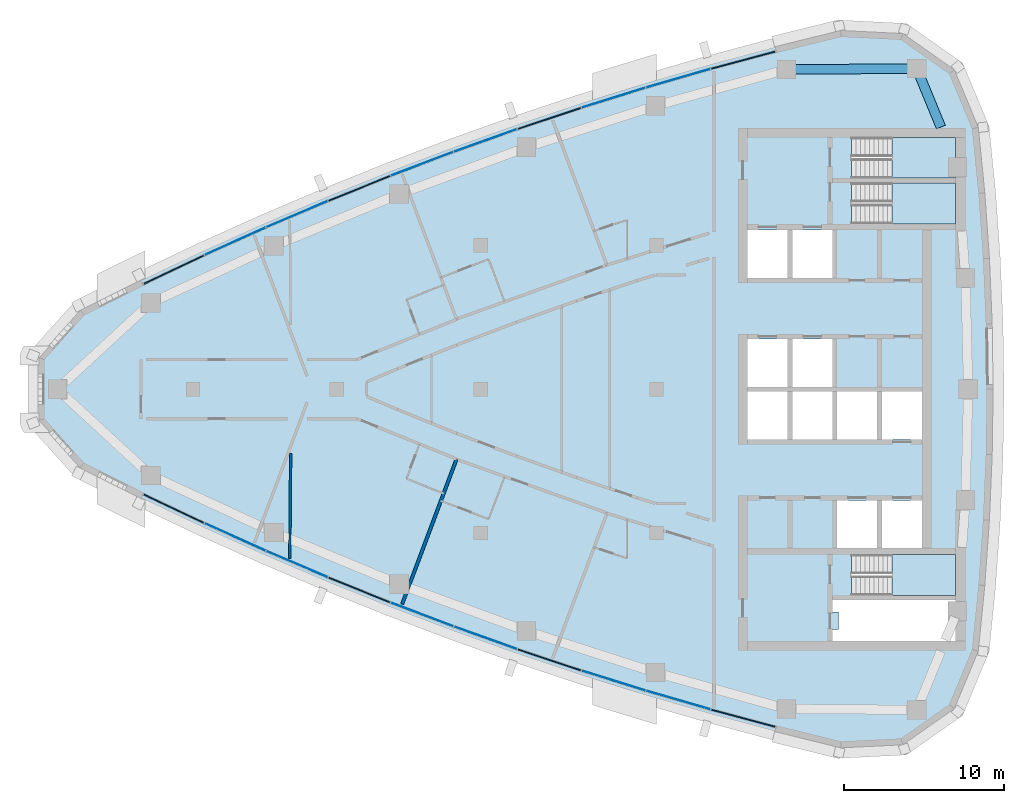
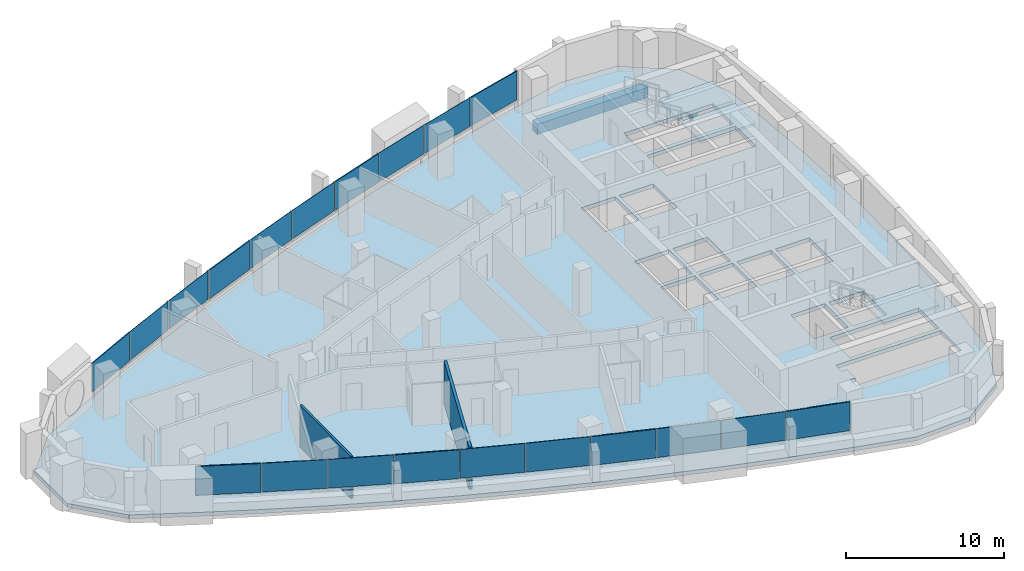
# One storey, part 7 of 15: 20 plates, 4 slabs, 2 beams, 2 walls, 1 opening, 13 elements without a shape of their own.
"""IFC4 building model written with IfcOpenShell, lengths in metres."""

from ifc_helpers import new_model, si_unit, direction, frame, frame_2d, origin, origin_2d, place, context, subcontext, project, spatial, polyline, rectangle, outline, extrude, material, layer, layer_set, material_profile, profile_set, type_object, element, aggregate, save


model = new_model("IFC4")

# Units and contexts
model_context = context("Model", 3, precision=1e-05, world=origin(), true_north=direction((0.0, 1.0)))
body_context = subcontext(model_context, "Body", "Model", "MODEL_VIEW")
ifc_project = project(units=[si_unit("LENGTHUNIT", "METRE"), si_unit("AREAUNIT", "SQUARE_METRE"), si_unit("VOLUMEUNIT", "CUBIC_METRE"), si_unit("PLANEANGLEUNIT", "RADIAN"), si_unit("MASSUNIT", "GRAM", prefix="KILO")], contexts=[model_context])

# Site, building, storey
site_placement = place(None, origin())
site = spatial("IfcSite", under=ifc_project, at=site_placement, CompositionType="ELEMENT")
building_placement = place(site_placement, origin())
building = spatial("IfcBuilding", under=site, at=building_placement, Name="Ostrand Prow Hotel Tower", CompositionType="ELEMENT")
storey_placement = place(building_placement, frame((0.0, 0.0, 231.449951171875)))
storey = spatial("IfcBuildingStorey", under=building, at=storey_placement, Name="L58", CompositionType="ELEMENT", Elevation=231.449951171875)

# Beams
ifc_material_1 = material(Name="Concrete C50/60", Category="concrete")
ifc_material_profile = material_profile(ifc_material_1, rectangle(XDim=0.60009765625, YDim=0.800048828125, at=origin_2d()), Name="RC 600x800")
ifc_profile_set = profile_set([ifc_material_profile], Name="Concrete C50/60")
beam_type = type_object("IfcBeamType", Name="Edge beam 600x800 C50/60", PredefinedType="SPANDREL", material=ifc_profile_set)
beam_1_placement = place(storey_placement, frame((62.7919921875, 16.39990234375, -0.699951171875), z_axis=(-0.380777709221, 0.924666608114, 0.0), x_axis=(-0.924666608114, -0.380777709221, 0.0)))
element("IfcBeam", 1, at=beam_1_placement, inside=storey, type_object=beam_type, Name="Edge beam B5-NE", PredefinedType="SPANDREL", context=body_context, shape_type="SweptSolid", body=[
    extrude(rectangle(XDim=0.60009765625, YDim=0.800048828125, at=origin_2d()), origin(), (0.0, 0.0, 1.0), 3.96044921875),
])
beam_2_placement = place(storey_placement, frame((61.283935546875, 20.06201171875, -0.699951171875), z_axis=(-0.999970657582, -0.007660546678, 0.0), x_axis=(0.007660546678, -0.999970657582, 0.0)))
element("IfcBeam", 2, at=beam_2_placement, inside=storey, type_object=beam_type, Name="Edge beam NE-N1", PredefinedType="SPANDREL", context=body_context, shape_type="SweptSolid", body=[
    extrude(rectangle(XDim=0.60009765625, YDim=0.800048828125, at=origin_2d()), origin(), (0.0, 0.0, 1.0), 8.15869140625),
])

# Curtain wall, plate
ifc_material_2 = material(Name="Insulated glass in bronze anodised frame", Category="glass")
ifc_layer_1 = layer(ifc_material_2, 0.199951171875)
ifc_layer_set_1 = layer_set([ifc_layer_1], Name="Insulated glass in bronze anodised frame")
curtain_wall_type = type_object("IfcCurtainWallType", Name="Strip curtain wall, fritted glass over bronze spandrel", PredefinedType="NOTDEFINED", material=ifc_layer_set_1)
curtain_wall_1_placement = place(storey_placement, origin())
curtain_wall_1 = element("IfcCurtainWall", 3, at=curtain_wall_1_placement, inside=storey, type_object=curtain_wall_type, Name="CW1 run CWS1", PredefinedType="NOTDEFINED")
ifc_material_3 = material(Name="Ceramic-fritted glass", Category="glass")
ifc_layer_2 = layer(ifc_material_3, 0.031982421875)
ifc_layer_set_2 = layer_set([ifc_layer_2], Name="Ceramic-fritted glass")
plate_type_1 = type_object("IfcPlateType", Name="Dot-fritted ceramic glass unit 32 mm", PredefinedType="CURTAIN_PANEL", material=ifc_layer_set_2)
plate_1_placement = place(storey_placement, frame((18.634521484375, -9.249267578125, 1.02001953125), z_axis=(0.0, 0.0, 1.0), x_axis=(0.911823681514, -0.41058199404, 0.0)))
plate_1 = element("IfcPlate", 4, at=plate_1_placement, type_object=plate_type_1, Name="CW1 PN-D panel 2.2", PredefinedType="CURTAIN_PANEL", context=body_context, shape_type="SweptSolid", body=[
    extrude(rectangle(XDim=4.163818359375, YDim=0.031982421875, at=origin_2d()), origin(), (0.0, 0.0, 1.0), 2.22998046875),
])

curtain_wall_2_placement = place(storey_placement, origin())
curtain_wall_2 = element("IfcCurtainWall", 5, at=curtain_wall_2_placement, inside=storey, type_object=curtain_wall_type, Name="CW1 run CWS2", PredefinedType="NOTDEFINED")
plate_2_placement = place(storey_placement, frame((22.502685546875, -10.944580078125, 1.02001953125), z_axis=(0.0, 0.0, 1.0), x_axis=(0.919907070112, -0.392136433347, 0.0)))
plate_2 = element("IfcPlate", 6, at=plate_2_placement, type_object=plate_type_1, Name="CW1 PN-D panel 1.2", PredefinedType="CURTAIN_PANEL", context=body_context, shape_type="SweptSolid", body=[
    extrude(rectangle(XDim=4.163818359375, YDim=0.031982421875, at=origin_2d()), origin(), (0.0, 0.0, 1.0), 2.22998046875),
])

# Curtain wall, plates
curtain_wall_3_placement = place(storey_placement, origin())
curtain_wall_3 = element("IfcCurtainWall", 7, at=curtain_wall_3_placement, inside=storey, type_object=curtain_wall_type, Name="CW1 run CWS3", PredefinedType="NOTDEFINED")
plate_3_placement = place(storey_placement, frame((30.337890625, -14.099609375, 1.02001953125), z_axis=(0.0, 0.0, 1.0), x_axis=(0.934950813567, -0.354777361469, 0.0)))
plate_3 = element("IfcPlate", 8, at=plate_3_placement, type_object=plate_type_1, Name="CW1 PN-D panel 1.2", PredefinedType="CURTAIN_PANEL", context=body_context, shape_type="SweptSolid", body=[
    extrude(rectangle(XDim=4.163818359375, YDim=0.031982421875, at=origin_2d()), origin(), (0.0, 0.0, 1.0), 2.22998046875),
])
plate_4_placement = place(storey_placement, frame((34.3017578125, -15.55810546875, 1.02001953125), z_axis=(0.0, 0.0, 1.0), x_axis=(0.941905718922, -0.335877383374, 0.0)))
plate_4 = element("IfcPlate", 9, at=plate_4_placement, type_object=plate_type_1, Name="CW1 PN-D panel 2.2", PredefinedType="CURTAIN_PANEL", context=body_context, shape_type="SweptSolid", body=[
    extrude(rectangle(XDim=4.163818359375, YDim=0.031982421875, at=origin_2d()), origin(), (0.0, 0.0, 1.0), 2.22998046875),
])
aggregate(curtain_wall_3, [plate_3, plate_4])

# Curtain wall, plate
curtain_wall_4_placement = place(storey_placement, origin())
curtain_wall_4 = element("IfcCurtainWall", 10, at=curtain_wall_4_placement, inside=storey, type_object=curtain_wall_type, Name="CW1 run CWS4", PredefinedType="NOTDEFINED")
plate_5_placement = place(storey_placement, frame((42.31298828125, -18.234375, 1.02001953125), z_axis=(0.0, 0.0, 1.0), x_axis=(0.95466629023, -0.297678138765, 0.0)))
plate_5 = element("IfcPlate", 11, at=plate_5_placement, type_object=plate_type_1, Name="CW1 PN-D panel 2.2", PredefinedType="CURTAIN_PANEL", context=body_context, shape_type="SweptSolid", body=[
    extrude(rectangle(XDim=4.163818359375, YDim=0.031982421875, at=origin_2d()), origin(), (0.0, 0.0, 1.0), 2.22998046875),
])

curtain_wall_5_placement = place(storey_placement, origin())
curtain_wall_5 = element("IfcCurtainWall", 12, at=curtain_wall_5_placement, inside=storey, type_object=curtain_wall_type, Name="CW1 run CWS5", PredefinedType="NOTDEFINED")
plate_6_placement = place(storey_placement, frame((46.357666015625, -19.450927734375, 1.02001953125), z_axis=(0.0, 0.0, 1.0), x_axis=(0.960467333745, -0.27839270969, 0.0)))
plate_6 = element("IfcPlate", 13, at=plate_6_placement, type_object=plate_type_1, Name="CW1 PN-D panel 1.2", PredefinedType="CURTAIN_PANEL", context=body_context, shape_type="SweptSolid", body=[
    extrude(rectangle(XDim=4.163818359375, YDim=0.031982421875, at=origin_2d()), origin(), (0.0, 0.0, 1.0), 2.22998046875),
])

curtain_wall_6_placement = place(storey_placement, origin())
curtain_wall_6 = element("IfcCurtainWall", 14, at=curtain_wall_6_placement, inside=storey, type_object=curtain_wall_type, Name="CW1 run CWN1", PredefinedType="NOTDEFINED")
plate_7_placement = place(storey_placement, frame((46.357666015625, 19.450927734375, 1.02001953125), z_axis=(0.0, 0.0, 1.0), x_axis=(-0.960467333745, -0.27839270969, 0.0)))
plate_7 = element("IfcPlate", 15, at=plate_7_placement, type_object=plate_type_1, Name="CW1 PN-D panel 2.2", PredefinedType="CURTAIN_PANEL", context=body_context, shape_type="SweptSolid", body=[
    extrude(rectangle(XDim=4.163818359375, YDim=0.031982421875, at=origin_2d()), origin(), (0.0, 0.0, 1.0), 2.22998046875),
])

curtain_wall_7_placement = place(storey_placement, origin())
curtain_wall_7 = element("IfcCurtainWall", 16, at=curtain_wall_7_placement, inside=storey, type_object=curtain_wall_type, Name="CW1 run CWN2", PredefinedType="NOTDEFINED")
plate_8_placement = place(storey_placement, frame((42.31298828125, 18.234375, 1.02001953125), z_axis=(0.0, 0.0, 1.0), x_axis=(-0.95466629023, -0.297678138765, 0.0)))
plate_8 = element("IfcPlate", 17, at=plate_8_placement, type_object=plate_type_1, Name="CW1 PN-D panel 1.2", PredefinedType="CURTAIN_PANEL", context=body_context, shape_type="SweptSolid", body=[
    extrude(rectangle(XDim=4.163818359375, YDim=0.031982421875, at=origin_2d()), origin(), (0.0, 0.0, 1.0), 2.22998046875),
])

# Curtain wall, plates
curtain_wall_8_placement = place(storey_placement, origin())
curtain_wall_8 = element("IfcCurtainWall", 18, at=curtain_wall_8_placement, inside=storey, type_object=curtain_wall_type, Name="CW1 run CWN3", PredefinedType="NOTDEFINED")
plate_9_placement = place(storey_placement, frame((34.3017578125, 15.55810546875, 1.02001953125), z_axis=(0.0, 0.0, 1.0), x_axis=(-0.941905718922, -0.335877383374, 0.0)))
plate_9 = element("IfcPlate", 19, at=plate_9_placement, type_object=plate_type_1, Name="CW1 PN-D panel 1.2", PredefinedType="CURTAIN_PANEL", context=body_context, shape_type="SweptSolid", body=[
    extrude(rectangle(XDim=4.163818359375, YDim=0.031982421875, at=origin_2d()), origin(), (0.0, 0.0, 1.0), 2.22998046875),
])
plate_10_placement = place(storey_placement, frame((30.337890625, 14.099609375, 1.02001953125), z_axis=(0.0, 0.0, 1.0), x_axis=(-0.934950813567, -0.354777361469, 0.0)))
plate_10 = element("IfcPlate", 20, at=plate_10_placement, type_object=plate_type_1, Name="CW1 PN-D panel 2.2", PredefinedType="CURTAIN_PANEL", context=body_context, shape_type="SweptSolid", body=[
    extrude(rectangle(XDim=4.163818359375, YDim=0.031982421875, at=origin_2d()), origin(), (0.0, 0.0, 1.0), 2.22998046875),
])
aggregate(curtain_wall_8, [plate_9, plate_10])

# Curtain wall, plate
curtain_wall_9_placement = place(storey_placement, origin())
curtain_wall_9 = element("IfcCurtainWall", 21, at=curtain_wall_9_placement, inside=storey, type_object=curtain_wall_type, Name="CW1 run CWN4", PredefinedType="NOTDEFINED")
plate_11_placement = place(storey_placement, frame((22.502685546875, 10.944580078125, 1.02001953125), z_axis=(0.0, 0.0, 1.0), x_axis=(-0.919907070112, -0.392136433347, 0.0)))
plate_11 = element("IfcPlate", 22, at=plate_11_placement, type_object=plate_type_1, Name="CW1 PN-D panel 2.2", PredefinedType="CURTAIN_PANEL", context=body_context, shape_type="SweptSolid", body=[
    extrude(rectangle(XDim=4.163818359375, YDim=0.031982421875, at=origin_2d()), origin(), (0.0, 0.0, 1.0), 2.22998046875),
])

curtain_wall_10_placement = place(storey_placement, origin())
curtain_wall_10 = element("IfcCurtainWall", 23, at=curtain_wall_10_placement, inside=storey, type_object=curtain_wall_type, Name="CW1 run CWN5", PredefinedType="NOTDEFINED")
plate_12_placement = place(storey_placement, frame((18.634521484375, 9.249267578125, 1.02001953125), z_axis=(0.0, 0.0, 1.0), x_axis=(-0.911823681514, -0.41058199404, 0.0)))
plate_12 = element("IfcPlate", 24, at=plate_12_placement, type_object=plate_type_1, Name="CW1 PN-D panel 1.2", PredefinedType="CURTAIN_PANEL", context=body_context, shape_type="SweptSolid", body=[
    extrude(rectangle(XDim=4.163818359375, YDim=0.031982421875, at=origin_2d()), origin(), (0.0, 0.0, 1.0), 2.22998046875),
])

# Plate
ifc_material_4 = material(Name="Fritted glass in bronze vent frame", Category="glass")
ifc_layer_3 = layer(ifc_material_4, 0.080078125)
ifc_layer_set_3 = layer_set([ifc_layer_3], Name="Fritted glass in bronze vent frame")
plate_type_2 = type_object("IfcPlateType", Name="Operable vent panel 80 mm", PredefinedType="CURTAIN_PANEL", material=ifc_layer_set_3)
plate_13_placement = place(storey_placement, frame((14.801025390625, -7.4765625, 1.02001953125), z_axis=(0.0, 0.0, 1.0), x_axis=(0.903370475577, -0.428861030937, 0.0)))
plate_13 = element("IfcPlate", 25, at=plate_13_placement, type_object=plate_type_2, Name="CW1 PN-O2 panel 1.2", PredefinedType="CURTAIN_PANEL", context=body_context, shape_type="SweptSolid", body=[
    extrude(rectangle(XDim=4.163818359375, YDim=0.080078125, at=origin_2d()), origin(), (0.0, 0.0, 1.0), 2.22998046875),
])

aggregate(curtain_wall_1, [plate_13, plate_1])

plate_14_placement = place(storey_placement, frame((26.404541015625, -12.5615234375, 1.02001953125), z_axis=(0.0, 0.0, 1.0), x_axis=(0.927616710972, -0.373533449004, 0.0)))
plate_14 = element("IfcPlate", 26, at=plate_14_placement, type_object=plate_type_2, Name="CW1 PN-O2 panel 2.2", PredefinedType="CURTAIN_PANEL", context=body_context, shape_type="SweptSolid", body=[
    extrude(rectangle(XDim=4.163818359375, YDim=0.080078125, at=origin_2d()), origin(), (0.0, 0.0, 1.0), 2.22998046875),
])

aggregate(curtain_wall_2, [plate_2, plate_14])

plate_15_placement = place(storey_placement, frame((38.2939453125, -16.9365234375, 1.02001953125), z_axis=(0.0, 0.0, 1.0), x_axis=(0.948478606268, -0.31684118017, 0.0)))
plate_15 = element("IfcPlate", 27, at=plate_15_placement, type_object=plate_type_2, Name="CW1 PN-O2 panel 1.2", PredefinedType="CURTAIN_PANEL", context=body_context, shape_type="SweptSolid", body=[
    extrude(rectangle(XDim=4.163818359375, YDim=0.080078125, at=origin_2d()), origin(), (0.0, 0.0, 1.0), 2.22998046875),
])

aggregate(curtain_wall_4, [plate_15, plate_5])

plate_16_placement = place(storey_placement, frame((50.42578125, -20.5859375, 1.02001953125), z_axis=(0.0, 0.0, 1.0), x_axis=(0.965878831034, -0.258994370132, 0.0)))
plate_16 = element("IfcPlate", 28, at=plate_16_placement, type_object=plate_type_2, Name="CW1 PN-O2 panel 2.2", PredefinedType="CURTAIN_PANEL", context=body_context, shape_type="SweptSolid", body=[
    extrude(rectangle(XDim=4.163818359375, YDim=0.080078125, at=origin_2d()), origin(), (0.0, 0.0, 1.0), 2.22998046875),
])

aggregate(curtain_wall_5, [plate_6, plate_16])

plate_17_placement = place(storey_placement, frame((50.42578125, 20.5859375, 1.02001953125), z_axis=(0.0, 0.0, 1.0), x_axis=(-0.965878831034, -0.258994370132, 0.0)))
plate_17 = element("IfcPlate", 29, at=plate_17_placement, type_object=plate_type_2, Name="CW1 PN-O2 panel 1.2", PredefinedType="CURTAIN_PANEL", context=body_context, shape_type="SweptSolid", body=[
    extrude(rectangle(XDim=4.163818359375, YDim=0.080078125, at=origin_2d()), origin(), (0.0, 0.0, 1.0), 2.22998046875),
])

aggregate(curtain_wall_6, [plate_17, plate_7])

plate_18_placement = place(storey_placement, frame((38.2939453125, 16.9365234375, 1.02001953125), z_axis=(0.0, 0.0, 1.0), x_axis=(-0.948478606268, -0.31684118017, 0.0)))
plate_18 = element("IfcPlate", 30, at=plate_18_placement, type_object=plate_type_2, Name="CW1 PN-O2 panel 2.2", PredefinedType="CURTAIN_PANEL", context=body_context, shape_type="SweptSolid", body=[
    extrude(rectangle(XDim=4.163818359375, YDim=0.080078125, at=origin_2d()), origin(), (0.0, 0.0, 1.0), 2.22998046875),
])

aggregate(curtain_wall_7, [plate_8, plate_18])

plate_19_placement = place(storey_placement, frame((26.404541015625, 12.5615234375, 1.02001953125), z_axis=(0.0, 0.0, 1.0), x_axis=(-0.927616710972, -0.373533449004, 0.0)))
plate_19 = element("IfcPlate", 31, at=plate_19_placement, type_object=plate_type_2, Name="CW1 PN-O2 panel 1.2", PredefinedType="CURTAIN_PANEL", context=body_context, shape_type="SweptSolid", body=[
    extrude(rectangle(XDim=4.163818359375, YDim=0.080078125, at=origin_2d()), origin(), (0.0, 0.0, 1.0), 2.22998046875),
])

aggregate(curtain_wall_9, [plate_19, plate_11])

plate_20_placement = place(storey_placement, frame((14.801025390625, 7.4765625, 1.02001953125), z_axis=(0.0, 0.0, 1.0), x_axis=(-0.903370475577, -0.428861030937, 0.0)))
plate_20 = element("IfcPlate", 32, at=plate_20_placement, type_object=plate_type_2, Name="CW1 PN-O2 panel 2.2", PredefinedType="CURTAIN_PANEL", context=body_context, shape_type="SweptSolid", body=[
    extrude(rectangle(XDim=4.163818359375, YDim=0.080078125, at=origin_2d()), origin(), (0.0, 0.0, 1.0), 2.22998046875),
])

aggregate(curtain_wall_10, [plate_12, plate_20])

# Slab, opening
ifc_material_5 = material(Name="Concrete C40/50", Category="concrete")
ifc_layer_4 = layer(ifc_material_5, 0.300048828125)
ifc_layer_set_4 = layer_set([ifc_layer_4], Name="Concrete C40/50")
slab_type_1 = type_object("IfcSlabType", Name="PT flat plate 300 C40/50", PredefinedType="FLOOR", material=ifc_layer_set_4)
slab_1_placement = place(storey_placement, frame((0.0, 0.0, -0.300048828125)))
slab_1 = element("IfcSlab", 33, at=slab_1_placement, inside=storey, type_object=slab_type_1, Name="Floor slab L58-1", PredefinedType="FLOOR", context=body_context, shape_type="SweptSolid", body=[
    extrude(outline(polyline([(8.85205078125, 5.097412109375), (12.679443359375, 7.009765625), (16.50390625, 8.825439453125), (20.364013671875, 10.563720703125), (24.258544921875, 12.223876953125), (28.185791015625, 13.80517578125), (32.143798828125, 15.30712890625), (36.131591796875, 16.72900390625), (40.14697265625, 18.0703125), (44.188720703125, 19.330810546875), (48.2548828125, 20.50927734375), (52.343994140625, 21.605712890625), (56.4873046875, 22.627685546875), (60.48193359375, 22.4287109375), (63.7822265625, 20.107177734375), (65.320068359375, 16.414794921875), (65.728515625, 12.29736328125), (66.018310546875, 8.20361328125), (66.19189453125, 4.103515625), (66.25, 0.0), (66.19189453125, -4.103515625), (66.018310546875, -8.20361328125), (65.728515625, -12.29736328125), (65.320068359375, -16.414794921875), (63.7822265625, -20.107177734375), (60.48193359375, -22.4287109375), (56.4873046875, -22.627685546875), (52.343994140625, -21.605712890625), (48.2548828125, -20.50927734375), (44.188720703125, -19.330810546875), (40.14697265625, -18.0703125), (36.131591796875, -16.72900390625), (32.143798828125, -15.30712890625), (28.185791015625, -13.80517578125), (24.258544921875, -12.223876953125), (20.364013671875, -10.563720703125), (16.50390625, -8.825439453125), (12.679443359375, -7.009765625), (8.85205078125, -5.097412109375), (6.127685546875, -2.06298828125), (6.127685546875, 2.06298828125), (8.85205078125, 5.097412109375)]), holes=[polyline([(50.699951171875, 6.949951171875), (53.199951171875, 6.949951171875), (53.199951171875, 9.949951171875), (50.699951171875, 9.949951171875), (50.699951171875, 6.949951171875)]), polyline([(53.5, 6.949951171875), (56.0, 6.949951171875), (56.0, 9.949951171875), (53.5, 9.949951171875), (53.5, 6.949951171875)]), polyline([(50.699951171875, 0.14990234375), (53.199951171875, 0.14990234375), (53.199951171875, 3.14990234375), (50.699951171875, 3.14990234375), (50.699951171875, 0.14990234375)]), polyline([(53.5, 0.14990234375), (56.0, 0.14990234375), (56.0, 3.14990234375), (53.5, 3.14990234375), (53.5, 0.14990234375)]), polyline([(50.699951171875, -3.14990234375), (53.199951171875, -3.14990234375), (53.199951171875, -0.14990234375), (50.699951171875, -0.14990234375), (50.699951171875, -3.14990234375)]), polyline([(53.5, -3.14990234375), (56.0, -3.14990234375), (56.0, -0.14990234375), (53.5, -0.14990234375), (53.5, -3.14990234375)]), polyline([(56.300048828125, -3.14990234375), (58.800048828125, -3.14990234375), (58.800048828125, -0.14990234375), (56.300048828125, -0.14990234375), (56.300048828125, -3.14990234375)]), polyline([(59.10009765625, -3.14990234375), (61.60009765625, -3.14990234375), (61.60009765625, -0.14990234375), (59.10009765625, -0.14990234375), (59.10009765625, -3.14990234375)]), polyline([(56.300048828125, -9.949951171875), (58.800048828125, -9.949951171875), (58.800048828125, -6.949951171875), (56.300048828125, -6.949951171875), (56.300048828125, -9.949951171875)]), polyline([(59.10009765625, -9.949951171875), (61.60009765625, -9.949951171875), (61.60009765625, -6.949951171875), (59.10009765625, -6.949951171875), (59.10009765625, -9.949951171875)]), polyline([(57.200927734375, 10.35107421875), (57.200927734375, 12.89892578125), (63.718994140625, 12.89892578125), (63.718994140625, 10.35107421875), (57.200927734375, 10.35107421875)]), polyline([(57.200927734375, 13.200927734375), (57.200927734375, 15.7490234375), (63.718994140625, 15.7490234375), (63.718994140625, 13.200927734375), (57.200927734375, 13.200927734375)]), polyline([(57.200927734375, -12.89892578125), (57.200927734375, -10.35107421875), (63.718994140625, -10.35107421875), (63.718994140625, -12.89892578125), (57.200927734375, -12.89892578125)]), polyline([(56.0, -13.949951171875), (56.0, -13.199951171875), (63.719970703125, -13.199951171875), (63.719970703125, -15.75), (56.0, -15.75), (56.0, -15.050048828125), (56.39990234375, -15.050048828125), (56.39990234375, -13.949951171875), (56.0, -13.949951171875)])]), origin(), (0.0, 0.0, 1.0), 0.300048828125),
])
opening_placement = place(slab_1_placement, origin())
element("IfcOpeningElement", 34, at=opening_placement, cuts=slab_1, Name="Shaft opening 1", PredefinedType="OPENING", context=body_context, shape_type="SweptSolid", body=[
    extrude(outline(polyline([(56.0, -13.949951171875), (56.0, -13.199951171875), (63.719970703125, -13.199951171875), (63.719970703125, -15.75), (56.0, -15.75), (56.0, -15.050048828125), (56.39990234375, -15.050048828125), (56.39990234375, -13.949951171875), (56.0, -13.949951171875)])), origin(), (0.0, 0.0, 1.0), 0.300048828125),
])

# Stair, slab
ifc_material_6 = material(Name="Concrete C40/50", Category="concrete")
stair_type = type_object("IfcStairType", Name="Exit stair 1200 upper zone", PredefinedType="HALF_TURN_STAIR", material=ifc_material_6)
stair_1_placement = place(storey_placement, origin())
stair_1 = element("IfcStair", 35, at=stair_1_placement, inside=storey, type_object=stair_type, Name="L58 ST1C", PredefinedType="HALF_TURN_STAIR")
ifc_material_7 = material(Name="Concrete C40/50", Category="concrete")
ifc_layer_5 = layer(ifc_material_7, 0.199951171875)
ifc_layer_set_5 = layer_set([ifc_layer_5], Name="Concrete C40/50")
slab_type_2 = type_object("IfcSlabType", Name="Stair landing 200 concrete", PredefinedType="LANDING", material=ifc_layer_set_5)
slab_2_placement = place(storey_placement, frame((0.0, 0.0, 1.574951171875)))
slab_2 = element("IfcSlab", 36, at=slab_2_placement, type_object=slab_type_2, Name="ST1C landing 1", PredefinedType="LANDING", context=body_context, shape_type="SweptSolid", body=[
    extrude(outline(polyline([(59.719970703125, 10.35009765625), (63.719970703125, 10.35009765625), (63.719970703125, 12.89990234375), (59.719970703125, 12.89990234375), (59.719970703125, 10.35009765625)])), origin(), (0.0, 0.0, 1.0), 0.2001953125),
])
aggregate(stair_1, [slab_2])

stair_2_placement = place(storey_placement, origin())
stair_2 = element("IfcStair", 37, at=stair_2_placement, inside=storey, type_object=stair_type, Name="L58 ST3C", PredefinedType="HALF_TURN_STAIR")
slab_3_placement = place(storey_placement, frame((0.0, 0.0, 1.574951171875)))
slab_3 = element("IfcSlab", 38, at=slab_3_placement, type_object=slab_type_2, Name="ST3C landing 1", PredefinedType="LANDING", context=body_context, shape_type="SweptSolid", body=[
    extrude(outline(polyline([(59.719970703125, 13.199951171875), (63.719970703125, 13.199951171875), (63.719970703125, 15.75), (59.719970703125, 15.75), (59.719970703125, 13.199951171875)])), origin(), (0.0, 0.0, 1.0), 0.2001953125),
])
aggregate(stair_2, [slab_3])

stair_3_placement = place(storey_placement, origin())
stair_3 = element("IfcStair", 39, at=stair_3_placement, inside=storey, type_object=stair_type, Name="L58 ST2C", PredefinedType="HALF_TURN_STAIR")
slab_4_placement = place(storey_placement, frame((0.0, 0.0, 1.574951171875)))
slab_4 = element("IfcSlab", 40, at=slab_4_placement, type_object=slab_type_2, Name="ST2C landing 1", PredefinedType="LANDING", context=body_context, shape_type="SweptSolid", body=[
    extrude(outline(polyline([(59.719970703125, -12.89990234375), (63.719970703125, -12.89990234375), (63.719970703125, -10.35009765625), (59.719970703125, -10.35009765625), (59.719970703125, -12.89990234375)])), origin(), (0.0, 0.0, 1.0), 0.2001953125),
])
aggregate(stair_3, [slab_4])

# Walls
ifc_material_8 = material(Name="Plasterboard partition")
ifc_layer_6 = layer(ifc_material_8, 0.14990234375)
ifc_layer_set_6 = layer_set([ifc_layer_6], Name="Plasterboard partition")
wall_type_1 = type_object("IfcWallType", Name="Partition 150 room partition", PredefinedType="PARTITIONING", material=ifc_layer_set_6)
wall_1_placement = place(storey_placement, frame((22.1123046875, -4.022705078125, 0.0), z_axis=(0.0, 0.0, 1.0), x_axis=(-0.008379594055, -0.999964890585, 0.0)))
element("IfcWall", 41, at=wall_1_placement, inside=storey, type_object=wall_type_1, Name="ROOM PARTITION", PredefinedType="PARTITIONING", context=body_context, shape_type="SweptSolid", body=[
    extrude(rectangle(XDim=6.555419921875, YDim=0.14990234375, at=frame_2d((3.27783203125, 0.0))), origin(), (0.0, 0.0, 1.0), 3.25),
])
ifc_material_9 = material(Name="Plasterboard partition")
ifc_layer_7 = layer(ifc_material_9, 0.199951171875)
ifc_layer_set_7 = layer_set([ifc_layer_7], Name="Plasterboard partition")
wall_type_2 = type_object("IfcWallType", Name="Partition 200 key partition", PredefinedType="PARTITIONING", material=ifc_layer_set_7)
wall_2_placement = place(storey_placement, frame((29.085693359375, -13.451416015625, 0.0), z_axis=(0.0, 0.0, 1.0), x_axis=(0.351128958016, 0.93632710889, 0.0)))
element("IfcWall", 42, at=wall_2_placement, inside=storey, type_object=wall_type_2, Name="KEY PARTITION", PredefinedType="PARTITIONING", context=body_context, shape_type="SweptSolid", body=[
    extrude(rectangle(XDim=9.7001953125, YDim=0.199951171875, at=frame_2d((4.85009765625, 0.0))), origin(), (0.0, 0.0, 1.0), 3.25),
])

save(model, "model.ifc")
